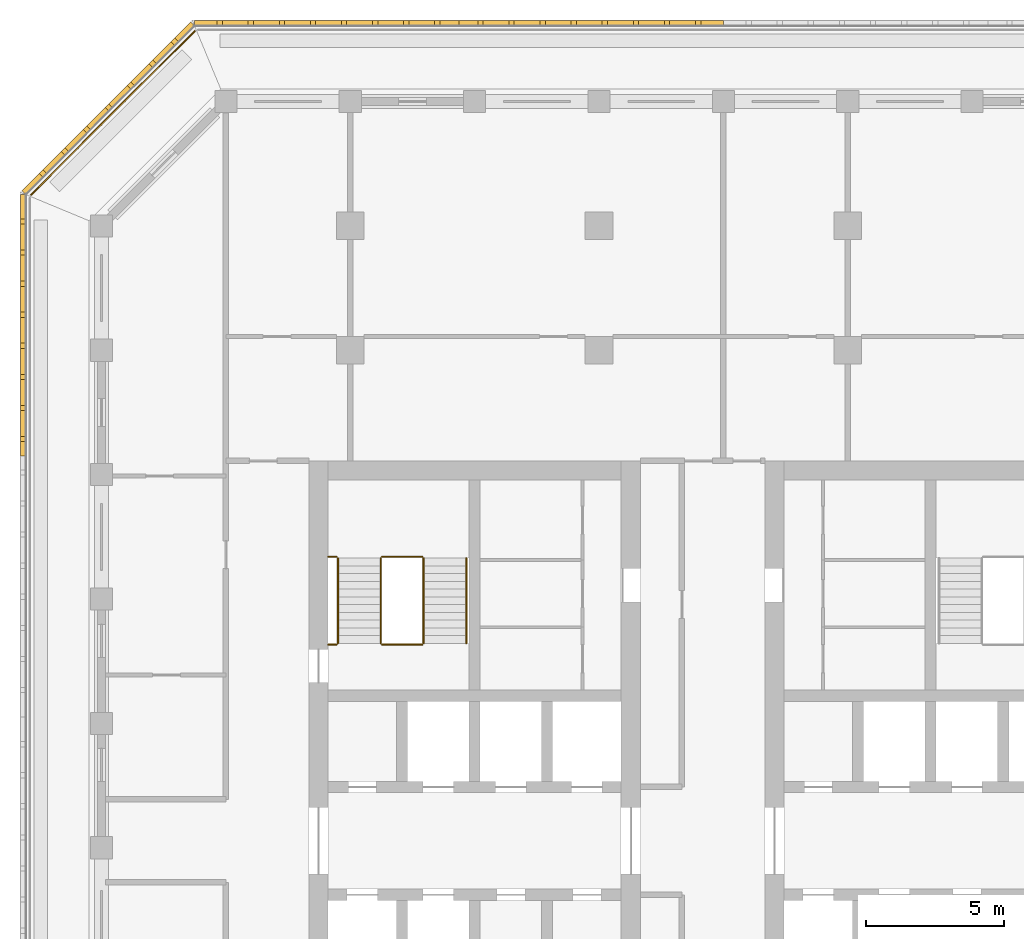
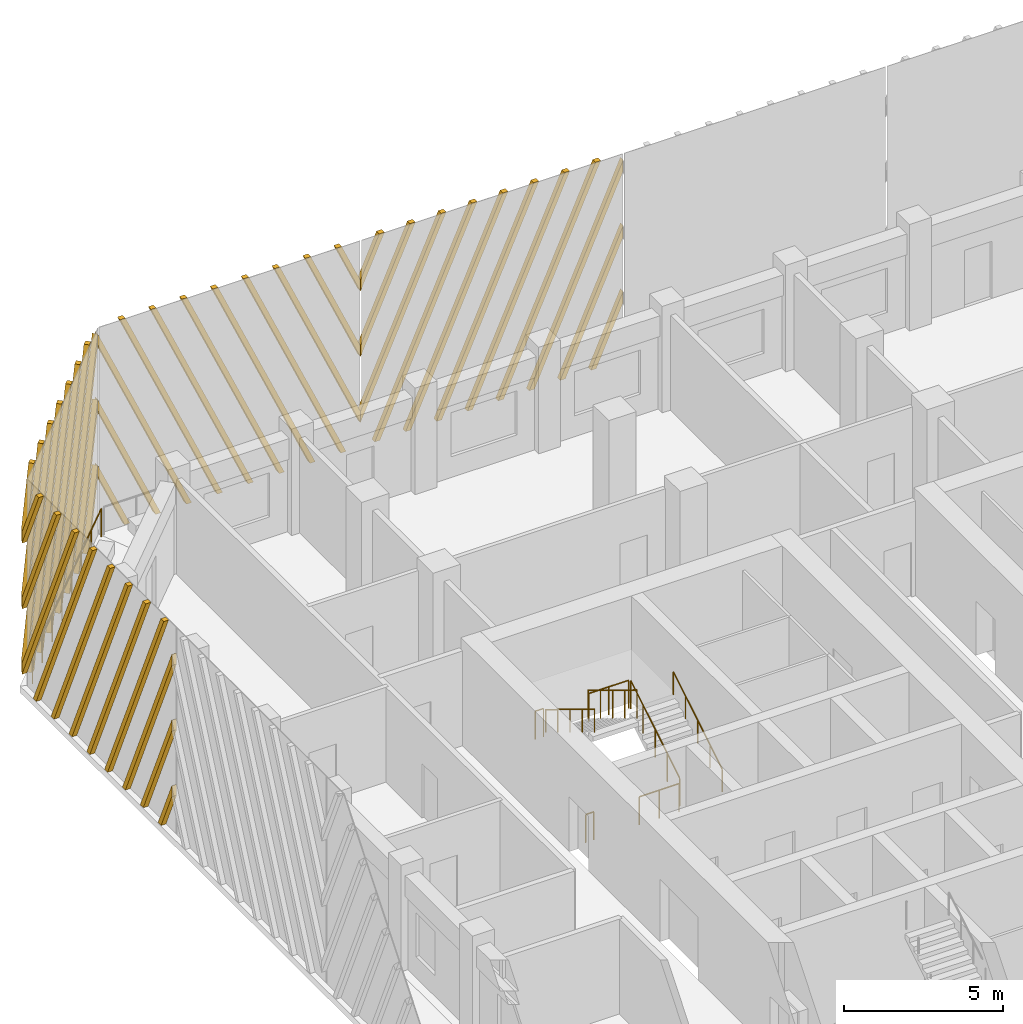
# One storey, part 14 of 17: 9 railings, 4 shading devices.
"""IFC4 building model written with IfcOpenShell, lengths in metres."""

import ifcopenshell
import ifcopenshell.guid

model = None  # the IFC model being written
_history = None  # IfcOwnerHistory: only IFC2X3 demands one
_inside = {}  # id of a spatial element -> (the spatial element, [elements in it])
_under = {}  # id of a project, library or spatial element -> (it, [spatial elements below it])
_declared = {}  # id of a project -> (the project, [libraries it declares])
_typed = {}  # id of a type object -> (the type object, [elements of that type])
_made_of = {}  # id of a material, layer set ... -> (it, [elements and type objects made of it])


def new_model(schema):
    """Start an empty IFC model of exactly this schema.

    Asked for "IFC4X3", IfcOpenShell would pick the latest addendum, in which some entities
    have other attributes; the version numbers below select the first issue.
    IFC2X3 requires an IfcOwnerHistory on every rooted entity: one is made here for all.
    """
    global model, _history
    if schema == "IFC4X3":
        model = ifcopenshell.file(schema_version=(4, 3, 0, 0))
    else:
        model = ifcopenshell.file(schema=schema)
    _inside.clear()
    _under.clear()
    _declared.clear()
    _typed.clear()
    _made_of.clear()
    _history = None
    if model.schema == "IFC2X3":
        org = make("IfcOrganization", Name="unknown")
        user = make(
            "IfcPersonAndOrganization",
            ThePerson=make("IfcPerson", FamilyName="unknown"),
            TheOrganization=org,
        )
        app = make(
            "IfcApplication",
            ApplicationDeveloper=org,
            Version="unknown",
            ApplicationFullName="unknown",
            ApplicationIdentifier="unknown",
        )
        _history = make(
            "IfcOwnerHistory",
            OwningUser=user,
            OwningApplication=app,
            ChangeAction="ADDED",
            CreationDate=0,
        )
    return model


def make(cls, **values):
    """One entity of the class cls with the attributes given. An attribute that is None is left unset."""
    return model.create_entity(
        cls, **{name: value for name, value in values.items() if value is not None}
    )


def rooted(cls, **values):
    """An entity with a GlobalId (a new one), such as an element, a storey or a relation."""
    return make(cls, GlobalId=ifcopenshell.guid.new(), OwnerHistory=_history, **values)


def si_unit(unit_type, name, prefix=None):
    """IfcSIUnit, for example si_unit("LENGTHUNIT", "METRE", prefix="MILLI")."""
    return make("IfcSIUnit", UnitType=unit_type, Prefix=prefix, Name=name)


def assignment(units):
    """IfcUnitAssignment: the units of a project."""
    return None if units is None else make("IfcUnitAssignment", Units=units)


def point(xyz):
    """IfcCartesianPoint."""
    return None if xyz is None else make("IfcCartesianPoint", Coordinates=xyz)


def direction(xyz):
    """IfcDirection."""
    return None if xyz is None else make("IfcDirection", DirectionRatios=xyz)


def frame(location, z_axis=None, x_axis=None):
    """IfcAxis2Placement3D, a coordinate frame: its origin and axes. An axis left out is left unset."""
    return make(
        "IfcAxis2Placement3D",
        Location=point(location),
        Axis=direction(z_axis),
        RefDirection=direction(x_axis),
    )


def frame_2d(location, x_axis=None):
    """IfcAxis2Placement2D, a coordinate frame in the plane: its origin and x axis."""
    return make(
        "IfcAxis2Placement2D", Location=point(location), RefDirection=direction(x_axis)
    )


def origin():
    """The frame at (0, 0, 0) with its axes left unset."""
    return frame((0.0, 0.0, 0.0))


def origin_2d():
    """The frame at (0, 0) in the plane with its x axis left unset."""
    return frame_2d((0.0, 0.0))


def place(relative_to, where):
    """IfcLocalPlacement: puts the frame where relative to a parent placement (None: the world)."""
    return make(
        "IfcLocalPlacement", PlacementRelTo=relative_to, RelativePlacement=where
    )


def context(
    kind, dimensions, precision=None, world=None, true_north=None, identifier=None
):
    """IfcGeometricRepresentationContext, for example the 3D "Model" context."""
    return make(
        "IfcGeometricRepresentationContext",
        ContextIdentifier=identifier,
        ContextType=kind,
        CoordinateSpaceDimension=dimensions,
        Precision=precision,
        WorldCoordinateSystem=world,
        TrueNorth=true_north,
    )


def subcontext(parent, identifier, kind, view, scale=None):
    """IfcGeometricRepresentationSubContext, for example "Body" below "Model"."""
    return make(
        "IfcGeometricRepresentationSubContext",
        ContextIdentifier=identifier,
        ContextType=kind,
        ParentContext=parent,
        TargetScale=scale,
        TargetView=view,
    )


def project(units=None, contexts=None):
    """IfcProject with its units and contexts."""
    return rooted(
        "IfcProject",
        Name="project",
        RepresentationContexts=contexts,
        UnitsInContext=assignment(units),
    )


def spatial(cls, under=None, at=None, **own):
    """A site, building, storey or space (cls), placed at a placement, below another one or the project."""
    s = rooted(cls, ObjectPlacement=at, **own)
    if under is not None:
        _under.setdefault(under.id(), (under, []))[1].append(s)
    return s


def polyline(points):
    """IfcPolyline through the points."""
    return make("IfcPolyline", Points=[point(p) for p in points])


def profile(cls, at=None, kind="AREA", **sizes):
    """A parametric profile (cls). Its sizes go by their IFC names, for example OverallWidth=200.0."""
    return make(cls, ProfileType=kind, Position=at, **sizes)


def circle(**sizes):
    """IfcCircleProfileDef."""
    return profile("IfcCircleProfileDef", **sizes)


def outline(outer, holes=None, kind="AREA"):
    """IfcArbitraryClosedProfileDef: a profile drawn as a closed curve; with holes, ...WithVoids."""
    if holes is None:
        return make("IfcArbitraryClosedProfileDef", ProfileType=kind, OuterCurve=outer)
    return make(
        "IfcArbitraryProfileDefWithVoids",
        ProfileType=kind,
        OuterCurve=outer,
        InnerCurves=holes,
    )


def extrude(swept, where, along, depth):
    """IfcExtrudedAreaSolid: the profile swept, set in the frame where, extruded along a direction by depth."""
    return make(
        "IfcExtrudedAreaSolid",
        SweptArea=swept,
        Position=where,
        ExtrudedDirection=direction(along),
        Depth=depth,
    )


def shape(context_of_items, identifier, shape_type, items):
    """IfcShapeRepresentation: the items that make up one representation, for example the "Body"."""
    return make(
        "IfcShapeRepresentation",
        ContextOfItems=context_of_items,
        RepresentationIdentifier=identifier,
        RepresentationType=shape_type,
        Items=items,
    )


def source(mapping_origin, context_of_items, identifier, shape_type, items):
    """IfcRepresentationMap: a shape defined once, which mapped items show again and again."""
    return make(
        "IfcRepresentationMap",
        MappingOrigin=mapping_origin,
        MappedRepresentation=shape(context_of_items, identifier, shape_type, items),
    )


def transform(
    local_origin,
    x_axis=None,
    y_axis=None,
    z_axis=None,
    scale=None,
    scale2=None,
    scale3=None,
    uniform=True,
):
    """IfcCartesianTransformationOperator3D, or its non-uniform kind. x_axis, y_axis, z_axis: its Axis1, 2, 3."""
    if uniform:
        return make(
            "IfcCartesianTransformationOperator3D",
            Axis1=direction(x_axis),
            Axis2=direction(y_axis),
            LocalOrigin=point(local_origin),
            Scale=scale,
            Axis3=direction(z_axis),
        )
    return make(
        "IfcCartesianTransformationOperator3DnonUniform",
        Axis1=direction(x_axis),
        Axis2=direction(y_axis),
        LocalOrigin=point(local_origin),
        Scale=scale,
        Axis3=direction(z_axis),
        Scale2=scale2,
        Scale3=scale3,
    )


def mapped(mapping_source, mapping_target):
    """IfcMappedItem: shows the shape of a source again, moved by a transform."""
    return make(
        "IfcMappedItem", MappingSource=mapping_source, MappingTarget=mapping_target
    )


def material(Name=None, Category=None):
    """IfcMaterial."""
    return make("IfcMaterial", Name=Name, Category=Category)


def made_of(thing, what):
    """Note that an element or type object is made of a material, layer set ...; save() writes the relation."""
    if what is not None:
        _made_of.setdefault(what.id(), (what, []))[1].append(thing)
    return thing


def type_object(cls, material=None, **own):
    """A type object (cls), such as IfcWallType, which elements share."""
    return made_of(rooted(cls, **own), material)


def element(
    cls,
    number,
    at=None,
    inside=None,
    cuts=None,
    type_object=None,
    material=None,
    context=None,
    identifier="Body",
    shape_type=None,
    held_by="IfcProductDefinitionShape",
    body=None,
    shapes=None,
    **own,
):
    """One element of the class cls, such as IfcWall. Its Tag is "e" and its number.

    at: its placement. inside: the storey or other place that contains it. cuts: it is an
    opening in that element (IfcRelVoidsElement). A single representation is given by context,
    identifier, shape_type and body (its items); several are given by shapes. held_by: the class
    of the entity that holds the representations. save() writes the other relations.
    """
    e = rooted(cls, Tag="e%d" % number, ObjectPlacement=at, **own)
    if body is not None:
        shapes = [shape(context, identifier, shape_type, body)]
    if shapes is not None:
        e.Representation = make(held_by, Representations=shapes)
    if inside is not None:
        _inside.setdefault(inside.id(), (inside, []))[1].append(e)
    if cuts is not None:
        rooted(
            "IfcRelVoidsElement", RelatingBuildingElement=cuts, RelatedOpeningElement=e
        )
    if type_object is not None:
        _typed.setdefault(type_object.id(), (type_object, []))[1].append(e)
    return made_of(e, material)


def aggregate(whole, parts):
    """IfcRelAggregates: a whole, such as a stair, and the parts it consists of."""
    return rooted("IfcRelAggregates", RelatingObject=whole, RelatedObjects=parts)


def save(model, path):
    """Write the relations noted so far, then the file.

    IfcRelAggregates (storeys below a building ...), IfcRelContainedInSpatialStructure (elements
    in a storey), IfcRelDefinesByType, IfcRelAssociatesMaterial and IfcRelDeclares: one each for
    every whole, place, type object, material and project.
    """
    for whole, parts in _under.values():
        aggregate(whole, parts)
    for where, things in _inside.values():
        rooted(
            "IfcRelContainedInSpatialStructure",
            RelatedElements=things,
            RelatingStructure=where,
        )
    for kind, things in _typed.values():
        rooted("IfcRelDefinesByType", RelatedObjects=things, RelatingType=kind)
    for what, things in _made_of.values():
        rooted("IfcRelAssociatesMaterial", RelatedObjects=things, RelatingMaterial=what)
    for by, libraries in _declared.values():
        rooted("IfcRelDeclares", RelatingContext=by, RelatedDefinitions=libraries)
    model.write(path)


model = new_model("IFC4")

# Units and contexts
model_context = context("Model", 3, precision=1e-05, world=origin(), true_north=direction((0.0, 1.0)))
body_context = subcontext(model_context, "Body", "Model", "MODEL_VIEW")
ifc_project = project(units=[si_unit("LENGTHUNIT", "METRE"), si_unit("AREAUNIT", "SQUARE_METRE"), si_unit("VOLUMEUNIT", "CUBIC_METRE"), si_unit("PLANEANGLEUNIT", "RADIAN"), si_unit("MASSUNIT", "GRAM", prefix="KILO")], contexts=[model_context])

# Site, building, storey
site_placement = place(None, origin())
site = spatial("IfcSite", under=ifc_project, at=site_placement, CompositionType="ELEMENT")
building_placement = place(site_placement, origin())
building = spatial("IfcBuilding", under=site, at=building_placement, Name="Corbel Stack Research Tower", CompositionType="ELEMENT")
storey_placement = place(building_placement, frame((0.0, 0.0, 248.0)))
storey = spatial("IfcBuildingStorey", under=building, at=storey_placement, Name="L56", CompositionType="ELEMENT", Elevation=248.0)

# Railings
ifc_material_1 = material(Name="Steel S355", Category="steel")
railing_type_1 = type_object("IfcRailingType", Name="Stair guard 1100", PredefinedType="GUARDRAIL", material=ifc_material_1)
railing_1_placement = place(storey_placement, frame((-6.35009765625, 11.89990234375, 0.1708984375)))
element("IfcRailing", 1, at=railing_1_placement, inside=storey, type_object=railing_type_1, Name="L56 ST-W2 stair guard 1", PredefinedType="GUARDRAIL", context=body_context, shape_type="SweptSolid", body=[
    extrude(circle(Radius=0.02392578125, at=origin_2d()), frame((0.0, 0.0, 1.076171875), z_axis=(0.0, 0.853666305674, 0.52082035152), x_axis=(-1.0, 0.0, 0.0)), (0.0, 0.0, 1.0), 3.608154296875),
    extrude(circle(Radius=0.02099609375, at=origin_2d()), origin(), (0.0, 0.0, 1.0), 1.052001953125),
    extrude(circle(Radius=0.02099609375, at=origin_2d()), frame((0.0, 0.77001953125, 0.4697265625)), (0.0, 0.0, 1.0), 1.052001953125),
    extrude(circle(Radius=0.02099609375, at=origin_2d()), frame((0.0, 1.5400390625, 0.939453125)), (0.0, 0.0, 1.0), 1.052001953125),
    extrude(circle(Radius=0.02099609375, at=origin_2d()), frame((0.0, 2.31005859375, 1.409423828125)), (0.0, 0.0, 1.0), 1.052001953125),
    extrude(circle(Radius=0.02099609375, at=origin_2d()), frame((0.0, 3.080078125, 1.879150390625)), (0.0, 0.0, 1.0), 1.052001953125),
])
railing_2_placement = place(storey_placement, frame((-6.39990234375, 15.030029296875, 2.050048828125)))
element("IfcRailing", 2, at=railing_2_placement, inside=storey, type_object=railing_type_1, Name="L56 ST-W2 stair guard 2", PredefinedType="GUARDRAIL", context=body_context, shape_type="SweptSolid", body=[
    extrude(circle(Radius=0.02392578125, at=origin_2d()), frame((0.0, 0.0, 1.076171875), z_axis=(-1.0, 0.0, 0.0), x_axis=(0.0, -1.0, 0.0)), (0.0, 0.0, 1.0), 1.4501953125),
    extrude(circle(Radius=0.02099609375, at=origin_2d()), origin(), (0.0, 0.0, 1.0), 1.052001953125),
    extrude(circle(Radius=0.02099609375, at=origin_2d()), frame((-0.72509765625, 0.0, 0.0)), (0.0, 0.0, 1.0), 1.052001953125),
    extrude(circle(Radius=0.02099609375, at=origin_2d()), frame((-1.4501953125, 0.0, 0.0)), (0.0, 0.0, 1.0), 1.052001953125),
])
railing_3_placement = place(storey_placement, frame((-9.5, 15.030029296875, 2.050048828125)))
element("IfcRailing", 3, at=railing_3_placement, inside=storey, type_object=railing_type_1, Name="L56 ST-W2 stair guard 3", PredefinedType="GUARDRAIL", context=body_context, shape_type="SweptSolid", body=[
    extrude(circle(Radius=0.02392578125, at=origin_2d()), frame((0.0, 0.0, 1.076171875), z_axis=(-1.0, 0.0, 0.0), x_axis=(0.0, -1.0, 0.0)), (0.0, 0.0, 1.0), 0.300048828125),
    extrude(circle(Radius=0.02099609375, at=origin_2d()), origin(), (0.0, 0.0, 1.0), 1.052001953125),
    extrude(circle(Radius=0.02099609375, at=origin_2d()), frame((-0.300048828125, 0.0, 0.0)), (0.0, 0.0, 1.0), 1.052001953125),
])
railing_4_placement = place(storey_placement, frame((-7.89990234375, 14.97998046875, 2.220947265625)))
element("IfcRailing", 4, at=railing_4_placement, inside=storey, type_object=railing_type_1, Name="L56 ST-W2 stair guard 4", PredefinedType="GUARDRAIL", context=body_context, shape_type="SweptSolid", body=[
    extrude(circle(Radius=0.02392578125, at=origin_2d()), frame((0.0, 0.0, 1.076171875), z_axis=(0.0, -0.853666305674, 0.52082035152), x_axis=(1.0, 0.0, 0.0)), (0.0, 0.0, 1.0), 3.608154296875),
    extrude(circle(Radius=0.02099609375, at=origin_2d()), origin(), (0.0, 0.0, 1.0), 1.052001953125),
    extrude(circle(Radius=0.02099609375, at=origin_2d()), frame((0.0, -0.77001953125, 0.4697265625)), (0.0, 0.0, 1.0), 1.052001953125),
    extrude(circle(Radius=0.02099609375, at=origin_2d()), frame((0.0, -1.5400390625, 0.939453125)), (0.0, 0.0, 1.0), 1.052001953125),
    extrude(circle(Radius=0.02099609375, at=origin_2d()), frame((0.0, -2.31005859375, 1.409423828125)), (0.0, 0.0, 1.0), 1.052001953125),
    extrude(circle(Radius=0.02099609375, at=origin_2d()), frame((0.0, -3.080078125, 1.879150390625)), (0.0, 0.0, 1.0), 1.052001953125),
])
railing_5_placement = place(storey_placement, frame((-6.39990234375, 11.85009765625, 0.0)))
element("IfcRailing", 5, at=railing_5_placement, inside=storey, type_object=railing_type_1, Name="L56 ST-W2 stair guard 5", PredefinedType="GUARDRAIL", context=body_context, shape_type="SweptSolid", body=[
    extrude(circle(Radius=0.02392578125, at=origin_2d()), frame((0.0, 0.0, 1.076171875), z_axis=(-1.0, 0.0, 0.0), x_axis=(0.0, -1.0, 0.0)), (0.0, 0.0, 1.0), 1.4501953125),
    extrude(circle(Radius=0.02099609375, at=origin_2d()), origin(), (0.0, 0.0, 1.0), 1.052001953125),
    extrude(circle(Radius=0.02099609375, at=origin_2d()), frame((-0.72509765625, 0.0, 0.0)), (0.0, 0.0, 1.0), 1.052001953125),
    extrude(circle(Radius=0.02099609375, at=origin_2d()), frame((-1.4501953125, 0.0, 0.0)), (0.0, 0.0, 1.0), 1.052001953125),
])
railing_6_placement = place(storey_placement, frame((-9.5, 11.85009765625, 0.0)))
element("IfcRailing", 6, at=railing_6_placement, inside=storey, type_object=railing_type_1, Name="L56 ST-W2 stair guard 6", PredefinedType="GUARDRAIL", context=body_context, shape_type="SweptSolid", body=[
    extrude(circle(Radius=0.02392578125, at=origin_2d()), frame((0.0, 0.0, 1.076171875), z_axis=(-1.0, 0.0, 0.0), x_axis=(0.0, -1.0, 0.0)), (0.0, 0.0, 1.0), 0.300048828125),
    extrude(circle(Radius=0.02099609375, at=origin_2d()), origin(), (0.0, 0.0, 1.0), 1.052001953125),
    extrude(circle(Radius=0.02099609375, at=origin_2d()), frame((-0.300048828125, 0.0, 0.0)), (0.0, 0.0, 1.0), 1.052001953125),
])
ifc_material_2 = material(Name="Steel S355", Category="steel")
railing_type_2 = type_object("IfcRailingType", Name="Stair handrail 900", PredefinedType="HANDRAIL", material=ifc_material_2)
railing_7_placement = place(storey_placement, frame((-4.800048828125, 11.89990234375, 0.1708984375)))
element("IfcRailing", 7, at=railing_7_placement, inside=storey, type_object=railing_type_2, Name="L56 ST-W2 stair handrail 1", PredefinedType="HANDRAIL", context=body_context, shape_type="SweptSolid", body=[
    extrude(circle(Radius=0.02392578125, at=origin_2d()), frame((0.0, 0.0, 0.8759765625), z_axis=(0.0, 0.853666305674, 0.52082035152), x_axis=(-1.0, 0.0, 0.0)), (0.0, 0.0, 1.0), 3.608154296875),
    extrude(circle(Radius=0.02099609375, at=origin_2d()), origin(), (0.0, 0.0, 1.0), 0.851806640625),
    extrude(circle(Radius=0.02099609375, at=origin_2d()), frame((0.0, 0.77001953125, 0.4697265625)), (0.0, 0.0, 1.0), 0.851806640625),
    extrude(circle(Radius=0.02099609375, at=origin_2d()), frame((0.0, 1.5400390625, 0.939453125)), (0.0, 0.0, 1.0), 0.851806640625),
    extrude(circle(Radius=0.02099609375, at=origin_2d()), frame((0.0, 2.31005859375, 1.409423828125)), (0.0, 0.0, 1.0), 0.851806640625),
    extrude(circle(Radius=0.02099609375, at=origin_2d()), frame((0.0, 3.080078125, 1.879150390625)), (0.0, 0.0, 1.0), 0.851806640625),
])
railing_8_placement = place(storey_placement, frame((-9.449951171875, 14.97998046875, 2.220947265625)))
element("IfcRailing", 8, at=railing_8_placement, inside=storey, type_object=railing_type_2, Name="L56 ST-W2 stair handrail 2", PredefinedType="HANDRAIL", context=body_context, shape_type="SweptSolid", body=[
    extrude(circle(Radius=0.02392578125, at=origin_2d()), frame((0.0, 0.0, 0.8759765625), z_axis=(0.0, -0.853666305674, 0.52082035152), x_axis=(1.0, 0.0, 0.0)), (0.0, 0.0, 1.0), 3.608154296875),
    extrude(circle(Radius=0.02099609375, at=origin_2d()), origin(), (0.0, 0.0, 1.0), 0.851806640625),
    extrude(circle(Radius=0.02099609375, at=origin_2d()), frame((0.0, -0.77001953125, 0.4697265625)), (0.0, 0.0, 1.0), 0.851806640625),
    extrude(circle(Radius=0.02099609375, at=origin_2d()), frame((0.0, -1.5400390625, 0.939453125)), (0.0, 0.0, 1.0), 0.851806640625),
    extrude(circle(Radius=0.02099609375, at=origin_2d()), frame((0.0, -2.31005859375, 1.409423828125)), (0.0, 0.0, 1.0), 0.851806640625),
    extrude(circle(Radius=0.02099609375, at=origin_2d()), frame((0.0, -3.080078125, 1.879150390625)), (0.0, 0.0, 1.0), 0.851806640625),
])
ifc_material_3 = material(Name="Powder-coated steel guard", Category="steel")
railing_type_3 = type_object("IfcRailingType", Name="Steel and glass guard 1100", PredefinedType="GUARDRAIL", material=ifc_material_3)
railing_9_placement = place(storey_placement, frame((-14.627685546875, 34.04931640625, 0.0)))
element("IfcRailing", 9, at=railing_9_placement, inside=storey, type_object=railing_type_3, Name="Loggia guard L56 NW", PredefinedType="GUARDRAIL", context=body_context, shape_type="SweptSolid", body=[
    extrude(circle(Radius=0.02392578125, at=origin_2d()), frame((0.0, 0.0, 1.076171875), z_axis=(-0.707106781187, -0.707106781187, 0.0), x_axis=(0.707106781187, -0.707106781187, 0.0)), (0.0, 0.0, 1.0), 8.37451171875),
    extrude(circle(Radius=0.02099609375, at=origin_2d()), origin(), (0.0, 0.0, 1.0), 1.052001953125),
    extrude(circle(Radius=0.02099609375, at=origin_2d()), frame((-0.845947265625, -0.845947265625, 0.0)), (0.0, 0.0, 1.0), 1.052001953125),
    extrude(circle(Radius=0.02099609375, at=origin_2d()), frame((-1.69189453125, -1.69189453125, 0.0)), (0.0, 0.0, 1.0), 1.052001953125),
    extrude(circle(Radius=0.02099609375, at=origin_2d()), frame((-2.537841796875, -2.537841796875, 0.0)), (0.0, 0.0, 1.0), 1.052001953125),
    extrude(circle(Radius=0.02099609375, at=origin_2d()), frame((-3.3837890625, -3.3837890625, 0.0)), (0.0, 0.0, 1.0), 1.052001953125),
    extrude(circle(Radius=0.02099609375, at=origin_2d()), frame((-4.229736328125, -4.229736328125, 0.0)), (0.0, 0.0, 1.0), 1.052001953125),
    extrude(circle(Radius=0.02099609375, at=origin_2d()), frame((-5.07568359375, -5.07568359375, 0.0)), (0.0, 0.0, 1.0), 1.052001953125),
    extrude(circle(Radius=0.02099609375, at=origin_2d()), frame((-5.921630859375, -5.921630859375, 0.0)), (0.0, 0.0, 1.0), 1.052001953125),
])

# Shading devices
ifc_material_4 = material(Name="Precast terracotta", Category="masonry")
shading_device_type = type_object("IfcShadingDeviceType", Name="Terracotta screen panel", PredefinedType="USERDEFINED", material=ifc_material_4)
shared_shape_1 = source(origin(), body_context, "Body", "SweptSolid", [
    extrude(outline(polyline([(1.072998046875, 7.949951171875), (0.883056640625, 7.949951171875), (0.0, 5.966552734375), (0.0, 5.539794921875), (1.072998046875, 7.949951171875)])), frame((0.0, 0.0, 0.0), z_axis=(0.0, -1.0, 0.0), x_axis=(1.0, 0.0, 0.0)), (0.0, 0.0, 1.0), 0.179931640625),
    extrude(outline(polyline([(2.197998046875, 7.949951171875), (2.008056640625, 7.949951171875), (0.0, 3.439697265625), (0.0, 3.01318359375), (2.197998046875, 7.949951171875)])), frame((0.0, 0.0, 0.0), z_axis=(0.0, -1.0, 0.0), x_axis=(1.0, 0.0, 0.0)), (0.0, 0.0, 1.0), 0.179931640625),
    extrude(outline(polyline([(3.322998046875, 7.949951171875), (3.133056640625, 7.949951171875), (0.0, 0.9130859375), (0.0, 0.486328125), (3.322998046875, 7.949951171875)])), frame((0.0, 0.0, 0.0), z_axis=(0.0, -1.0, 0.0), x_axis=(1.0, 0.0, 0.0)), (0.0, 0.0, 1.0), 0.179931640625),
    extrude(outline(polyline([(0.908447265625, 0.0), (4.447998046875, 7.949951171875), (4.258056640625, 7.949951171875), (0.718505859375, 0.0), (0.908447265625, 0.0)])), frame((0.0, 0.0, 0.0), z_axis=(0.0, -1.0, 0.0), x_axis=(1.0, 0.0, 0.0)), (0.0, 0.0, 1.0), 0.179931640625),
    extrude(outline(polyline([(2.033447265625, 0.0), (5.572998046875, 7.949951171875), (5.383056640625, 7.949951171875), (1.843505859375, 0.0), (2.033447265625, 0.0)])), frame((0.0, 0.0, 0.0), z_axis=(0.0, -1.0, 0.0), x_axis=(1.0, 0.0, 0.0)), (0.0, 0.0, 1.0), 0.179931640625),
    extrude(outline(polyline([(3.158447265625, 0.0), (6.697998046875, 7.949951171875), (6.508056640625, 7.949951171875), (2.968505859375, 0.0), (3.158447265625, 0.0)])), frame((0.0, 0.0, 0.0), z_axis=(0.0, -1.0, 0.0), x_axis=(1.0, 0.0, 0.0)), (0.0, 0.0, 1.0), 0.179931640625),
    extrude(outline(polyline([(4.283447265625, 0.0), (7.822998046875, 7.949951171875), (7.633056640625, 7.949951171875), (4.093505859375, 0.0), (4.283447265625, 0.0)])), frame((0.0, 0.0, 0.0), z_axis=(0.0, -1.0, 0.0), x_axis=(1.0, 0.0, 0.0)), (0.0, 0.0, 1.0), 0.179931640625),
    extrude(outline(polyline([(5.408447265625, 0.0), (8.947998046875, 7.949951171875), (8.758056640625, 7.949951171875), (5.218505859375, 0.0), (5.408447265625, 0.0)])), frame((0.0, 0.0, 0.0), z_axis=(0.0, -1.0, 0.0), x_axis=(1.0, 0.0, 0.0)), (0.0, 0.0, 1.0), 0.179931640625),
    extrude(outline(polyline([(6.533447265625, 0.0), (9.45556640625, 6.563232421875), (9.45556640625, 6.989990234375), (6.343505859375, 0.0), (6.533447265625, 0.0)])), frame((0.0, 0.0, 0.0), z_axis=(0.0, -1.0, 0.0), x_axis=(1.0, 0.0, 0.0)), (0.0, 0.0, 1.0), 0.179931640625),
    extrude(outline(polyline([(7.658447265625, 0.0), (9.45556640625, 4.036376953125), (9.45556640625, 4.463134765625), (7.468505859375, 0.0), (7.658447265625, 0.0)])), frame((0.0, 0.0, 0.0), z_axis=(0.0, -1.0, 0.0), x_axis=(1.0, 0.0, 0.0)), (0.0, 0.0, 1.0), 0.179931640625),
    extrude(outline(polyline([(8.783447265625, 0.0), (9.45556640625, 1.509521484375), (9.45556640625, 1.936279296875), (8.593505859375, 0.0), (8.783447265625, 0.0)])), frame((0.0, 0.0, 0.0), z_axis=(0.0, -1.0, 0.0), x_axis=(1.0, 0.0, 0.0)), (0.0, 0.0, 1.0), 0.179931640625),
])
shading_device_1_placement = place(storey_placement, frame((-20.75, 28.13916015625, 0.0), z_axis=(0.0, 0.0, 1.0), x_axis=(0.0, -1.0, 0.0)))
element("IfcShadingDevice", 10, at=shading_device_1_placement, inside=storey, type_object=shading_device_type, Name="Terracotta screen L56 W1", ObjectType="SCREEN", PredefinedType="USERDEFINED", context=body_context, shape_type="MappedRepresentation", body=[
    mapped(shared_shape_1, transform((0.0, 0.0, 0.0))),
])
shared_shape_2 = source(origin(), body_context, "Body", "SweptSolid", [
    extrude(outline(polyline([(1.173583984375, 0.0), (0.0, 2.635986328125), (0.0, 2.209228515625), (0.983642578125, 0.0), (1.173583984375, 0.0)])), frame((0.0, 0.0, 0.0), z_axis=(0.0, -1.0, 0.0), x_axis=(1.0, 0.0, 0.0)), (0.0, 0.0, 1.0), 0.179931640625),
    extrude(outline(polyline([(2.298583984375, 0.0), (0.0, 5.162841796875), (0.0, 4.736083984375), (2.108642578125, 0.0), (2.298583984375, 0.0)])), frame((0.0, 0.0, 0.0), z_axis=(0.0, -1.0, 0.0), x_axis=(1.0, 0.0, 0.0)), (0.0, 0.0, 1.0), 0.179931640625),
    extrude(outline(polyline([(3.423583984375, 0.0), (0.0, 7.689697265625), (0.0, 7.262939453125), (3.233642578125, 0.0), (3.423583984375, 0.0)])), frame((0.0, 0.0, 0.0), z_axis=(0.0, -1.0, 0.0), x_axis=(1.0, 0.0, 0.0)), (0.0, 0.0, 1.0), 0.179931640625),
    extrude(outline(polyline([(4.548583984375, 0.0), (1.009033203125, 7.949951171875), (0.819091796875, 7.949951171875), (4.358642578125, 0.0), (4.548583984375, 0.0)])), frame((0.0, 0.0, 0.0), z_axis=(0.0, -1.0, 0.0), x_axis=(1.0, 0.0, 0.0)), (0.0, 0.0, 1.0), 0.179931640625),
    extrude(outline(polyline([(5.673583984375, 0.0), (2.134033203125, 7.949951171875), (1.944091796875, 7.949951171875), (5.483642578125, 0.0), (5.673583984375, 0.0)])), frame((0.0, 0.0, 0.0), z_axis=(0.0, -1.0, 0.0), x_axis=(1.0, 0.0, 0.0)), (0.0, 0.0, 1.0), 0.179931640625),
    extrude(outline(polyline([(6.798583984375, 0.0), (3.259033203125, 7.949951171875), (3.069091796875, 7.949951171875), (6.608642578125, 0.0), (6.798583984375, 0.0)])), frame((0.0, 0.0, 0.0), z_axis=(0.0, -1.0, 0.0), x_axis=(1.0, 0.0, 0.0)), (0.0, 0.0, 1.0), 0.179931640625),
    extrude(outline(polyline([(7.923583984375, 0.0), (4.384033203125, 7.949951171875), (4.194091796875, 7.949951171875), (7.733642578125, 0.0), (7.923583984375, 0.0)])), frame((0.0, 0.0, 0.0), z_axis=(0.0, -1.0, 0.0), x_axis=(1.0, 0.0, 0.0)), (0.0, 0.0, 1.0), 0.179931640625),
    extrude(outline(polyline([(9.048583984375, 0.0), (5.509033203125, 7.949951171875), (5.319091796875, 7.949951171875), (8.858642578125, 0.0), (9.048583984375, 0.0)])), frame((0.0, 0.0, 0.0), z_axis=(0.0, -1.0, 0.0), x_axis=(1.0, 0.0, 0.0)), (0.0, 0.0, 1.0), 0.179931640625),
    extrude(outline(polyline([(6.634033203125, 7.949951171875), (6.444091796875, 7.949951171875), (9.569580078125, 0.93017578125), (9.569580078125, 1.356689453125), (6.634033203125, 7.949951171875)])), frame((0.0, 0.0, 0.0), z_axis=(0.0, -1.0, 0.0), x_axis=(1.0, 0.0, 0.0)), (0.0, 0.0, 1.0), 0.179931640625),
    extrude(outline(polyline([(7.759033203125, 7.949951171875), (7.569091796875, 7.949951171875), (9.569580078125, 3.456787109375), (9.569580078125, 3.883544921875), (7.759033203125, 7.949951171875)])), frame((0.0, 0.0, 0.0), z_axis=(0.0, -1.0, 0.0), x_axis=(1.0, 0.0, 0.0)), (0.0, 0.0, 1.0), 0.179931640625),
    extrude(outline(polyline([(8.884033203125, 7.949951171875), (8.694091796875, 7.949951171875), (9.569580078125, 5.983642578125), (9.569580078125, 6.410400390625), (8.884033203125, 7.949951171875)])), frame((0.0, 0.0, 0.0), z_axis=(0.0, -1.0, 0.0), x_axis=(1.0, 0.0, 0.0)), (0.0, 0.0, 1.0), 0.179931640625),
])
shading_device_2_placement = place(storey_placement, frame((4.5, 34.25, 0.0), z_axis=(0.0, 0.0, 1.0), x_axis=(-1.0, 0.0, 0.0)))
element("IfcShadingDevice", 11, at=shading_device_2_placement, inside=storey, type_object=shading_device_type, Name="Terracotta screen L56 N3", ObjectType="SCREEN", PredefinedType="USERDEFINED", context=body_context, shape_type="MappedRepresentation", body=[
    mapped(shared_shape_2, transform((0.0, 0.0, 0.0))),
])
shared_shape_3 = source(origin(), body_context, "Body", "SweptSolid", [
    extrude(outline(polyline([(0.87548828125, 7.949951171875), (0.685546875, 7.949951171875), (0.0, 6.410400390625), (0.0, 5.983642578125), (0.87548828125, 7.949951171875)])), frame((0.0, 0.0, 0.0), z_axis=(0.0, -1.0, 0.0), x_axis=(1.0, 0.0, 0.0)), (0.0, 0.0, 1.0), 0.179931640625),
    extrude(outline(polyline([(2.00048828125, 7.949951171875), (1.810546875, 7.949951171875), (0.0, 3.883544921875), (0.0, 3.456787109375), (2.00048828125, 7.949951171875)])), frame((0.0, 0.0, 0.0), z_axis=(0.0, -1.0, 0.0), x_axis=(1.0, 0.0, 0.0)), (0.0, 0.0, 1.0), 0.179931640625),
    extrude(outline(polyline([(3.12548828125, 7.949951171875), (2.935546875, 7.949951171875), (0.0, 1.356689453125), (0.0, 0.93017578125), (3.12548828125, 7.949951171875)])), frame((0.0, 0.0, 0.0), z_axis=(0.0, -1.0, 0.0), x_axis=(1.0, 0.0, 0.0)), (0.0, 0.0, 1.0), 0.179931640625),
    extrude(outline(polyline([(0.7109375, 0.0), (4.25048828125, 7.949951171875), (4.060546875, 7.949951171875), (0.52099609375, 0.0), (0.7109375, 0.0)])), frame((0.0, 0.0, 0.0), z_axis=(0.0, -1.0, 0.0), x_axis=(1.0, 0.0, 0.0)), (0.0, 0.0, 1.0), 0.179931640625),
    extrude(outline(polyline([(1.8359375, 0.0), (5.37548828125, 7.949951171875), (5.185546875, 7.949951171875), (1.64599609375, 0.0), (1.8359375, 0.0)])), frame((0.0, 0.0, 0.0), z_axis=(0.0, -1.0, 0.0), x_axis=(1.0, 0.0, 0.0)), (0.0, 0.0, 1.0), 0.179931640625),
    extrude(outline(polyline([(2.9609375, 0.0), (6.50048828125, 7.949951171875), (6.310546875, 7.949951171875), (2.77099609375, 0.0), (2.9609375, 0.0)])), frame((0.0, 0.0, 0.0), z_axis=(0.0, -1.0, 0.0), x_axis=(1.0, 0.0, 0.0)), (0.0, 0.0, 1.0), 0.179931640625),
    extrude(outline(polyline([(4.0859375, 0.0), (7.62548828125, 7.949951171875), (7.435546875, 7.949951171875), (3.89599609375, 0.0), (4.0859375, 0.0)])), frame((0.0, 0.0, 0.0), z_axis=(0.0, -1.0, 0.0), x_axis=(1.0, 0.0, 0.0)), (0.0, 0.0, 1.0), 0.179931640625),
    extrude(outline(polyline([(5.2109375, 0.0), (8.75048828125, 7.949951171875), (8.560546875, 7.949951171875), (5.02099609375, 0.0), (5.2109375, 0.0)])), frame((0.0, 0.0, 0.0), z_axis=(0.0, -1.0, 0.0), x_axis=(1.0, 0.0, 0.0)), (0.0, 0.0, 1.0), 0.179931640625),
    extrude(outline(polyline([(6.3359375, 0.0), (9.569580078125, 7.262939453125), (9.569580078125, 7.689697265625), (6.14599609375, 0.0), (6.3359375, 0.0)])), frame((0.0, 0.0, 0.0), z_axis=(0.0, -1.0, 0.0), x_axis=(1.0, 0.0, 0.0)), (0.0, 0.0, 1.0), 0.179931640625),
    extrude(outline(polyline([(7.4609375, 0.0), (9.569580078125, 4.736083984375), (9.569580078125, 5.162841796875), (7.27099609375, 0.0), (7.4609375, 0.0)])), frame((0.0, 0.0, 0.0), z_axis=(0.0, -1.0, 0.0), x_axis=(1.0, 0.0, 0.0)), (0.0, 0.0, 1.0), 0.179931640625),
    extrude(outline(polyline([(8.5859375, 0.0), (9.569580078125, 2.209228515625), (9.569580078125, 2.635986328125), (8.39599609375, 0.0), (8.5859375, 0.0)])), frame((0.0, 0.0, 0.0), z_axis=(0.0, -1.0, 0.0), x_axis=(1.0, 0.0, 0.0)), (0.0, 0.0, 1.0), 0.179931640625),
])
shading_device_3_placement = place(storey_placement, frame((-5.069580078125, 34.25, 0.0), z_axis=(0.0, 0.0, 1.0), x_axis=(-1.0, 0.0, 0.0)))
element("IfcShadingDevice", 12, at=shading_device_3_placement, inside=storey, type_object=shading_device_type, Name="Terracotta screen L56 N4", ObjectType="SCREEN", PredefinedType="USERDEFINED", context=body_context, shape_type="MappedRepresentation", body=[
    mapped(shared_shape_3, transform((0.0, 0.0, 0.0))),
])
shared_shape_4 = source(origin(), body_context, "Body", "SweptSolid", [
    extrude(outline(polyline([(1.173583984375, 0.0), (0.0, 2.635986328125), (0.0, 2.209228515625), (0.983642578125, 0.0), (1.173583984375, 0.0)])), frame((0.0, 0.0, 0.0), z_axis=(0.0, -1.0, 0.0), x_axis=(1.0, 0.0, 0.0)), (0.0, 0.0, 1.0), 0.179931640625),
    extrude(outline(polyline([(2.298583984375, 0.0), (0.0, 5.162841796875), (0.0, 4.736083984375), (2.108642578125, 0.0), (2.298583984375, 0.0)])), frame((0.0, 0.0, 0.0), z_axis=(0.0, -1.0, 0.0), x_axis=(1.0, 0.0, 0.0)), (0.0, 0.0, 1.0), 0.179931640625),
    extrude(outline(polyline([(3.423583984375, 0.0), (0.0, 7.689697265625), (0.0, 7.262939453125), (3.233642578125, 0.0), (3.423583984375, 0.0)])), frame((0.0, 0.0, 0.0), z_axis=(0.0, -1.0, 0.0), x_axis=(1.0, 0.0, 0.0)), (0.0, 0.0, 1.0), 0.179931640625),
    extrude(outline(polyline([(4.548583984375, 0.0), (1.009033203125, 7.949951171875), (0.819091796875, 7.949951171875), (4.358642578125, 0.0), (4.548583984375, 0.0)])), frame((0.0, 0.0, 0.0), z_axis=(0.0, -1.0, 0.0), x_axis=(1.0, 0.0, 0.0)), (0.0, 0.0, 1.0), 0.179931640625),
    extrude(outline(polyline([(5.673583984375, 0.0), (2.134033203125, 7.949951171875), (1.944091796875, 7.949951171875), (5.483642578125, 0.0), (5.673583984375, 0.0)])), frame((0.0, 0.0, 0.0), z_axis=(0.0, -1.0, 0.0), x_axis=(1.0, 0.0, 0.0)), (0.0, 0.0, 1.0), 0.179931640625),
    extrude(outline(polyline([(6.798583984375, 0.0), (3.259033203125, 7.949951171875), (3.069091796875, 7.949951171875), (6.608642578125, 0.0), (6.798583984375, 0.0)])), frame((0.0, 0.0, 0.0), z_axis=(0.0, -1.0, 0.0), x_axis=(1.0, 0.0, 0.0)), (0.0, 0.0, 1.0), 0.179931640625),
    extrude(outline(polyline([(7.923583984375, 0.0), (4.384033203125, 7.949951171875), (4.194091796875, 7.949951171875), (7.733642578125, 0.0), (7.923583984375, 0.0)])), frame((0.0, 0.0, 0.0), z_axis=(0.0, -1.0, 0.0), x_axis=(1.0, 0.0, 0.0)), (0.0, 0.0, 1.0), 0.179931640625),
    extrude(outline(polyline([(5.509033203125, 7.949951171875), (5.319091796875, 7.949951171875), (8.64208984375, 0.486328125), (8.64208984375, 0.9130859375), (5.509033203125, 7.949951171875)])), frame((0.0, 0.0, 0.0), z_axis=(0.0, -1.0, 0.0), x_axis=(1.0, 0.0, 0.0)), (0.0, 0.0, 1.0), 0.179931640625),
    extrude(outline(polyline([(6.634033203125, 7.949951171875), (6.444091796875, 7.949951171875), (8.64208984375, 3.01318359375), (8.64208984375, 3.439697265625), (6.634033203125, 7.949951171875)])), frame((0.0, 0.0, 0.0), z_axis=(0.0, -1.0, 0.0), x_axis=(1.0, 0.0, 0.0)), (0.0, 0.0, 1.0), 0.179931640625),
    extrude(outline(polyline([(7.759033203125, 7.949951171875), (7.569091796875, 7.949951171875), (8.64208984375, 5.539794921875), (8.64208984375, 5.966552734375), (7.759033203125, 7.949951171875)])), frame((0.0, 0.0, 0.0), z_axis=(0.0, -1.0, 0.0), x_axis=(1.0, 0.0, 0.0)), (0.0, 0.0, 1.0), 0.179931640625),
])
shading_device_4_placement = place(storey_placement, frame((-14.63916015625, 34.25, 0.0), z_axis=(0.0, 0.0, 1.0), x_axis=(-0.707106781187, -0.707106781187, 0.0)))
element("IfcShadingDevice", 13, at=shading_device_4_placement, inside=storey, type_object=shading_device_type, Name="Terracotta screen L56 NW1", ObjectType="SCREEN", PredefinedType="USERDEFINED", context=body_context, shape_type="MappedRepresentation", body=[
    mapped(shared_shape_4, transform((0.0, 0.0, 0.0))),
])

save(model, "model.ifc")
